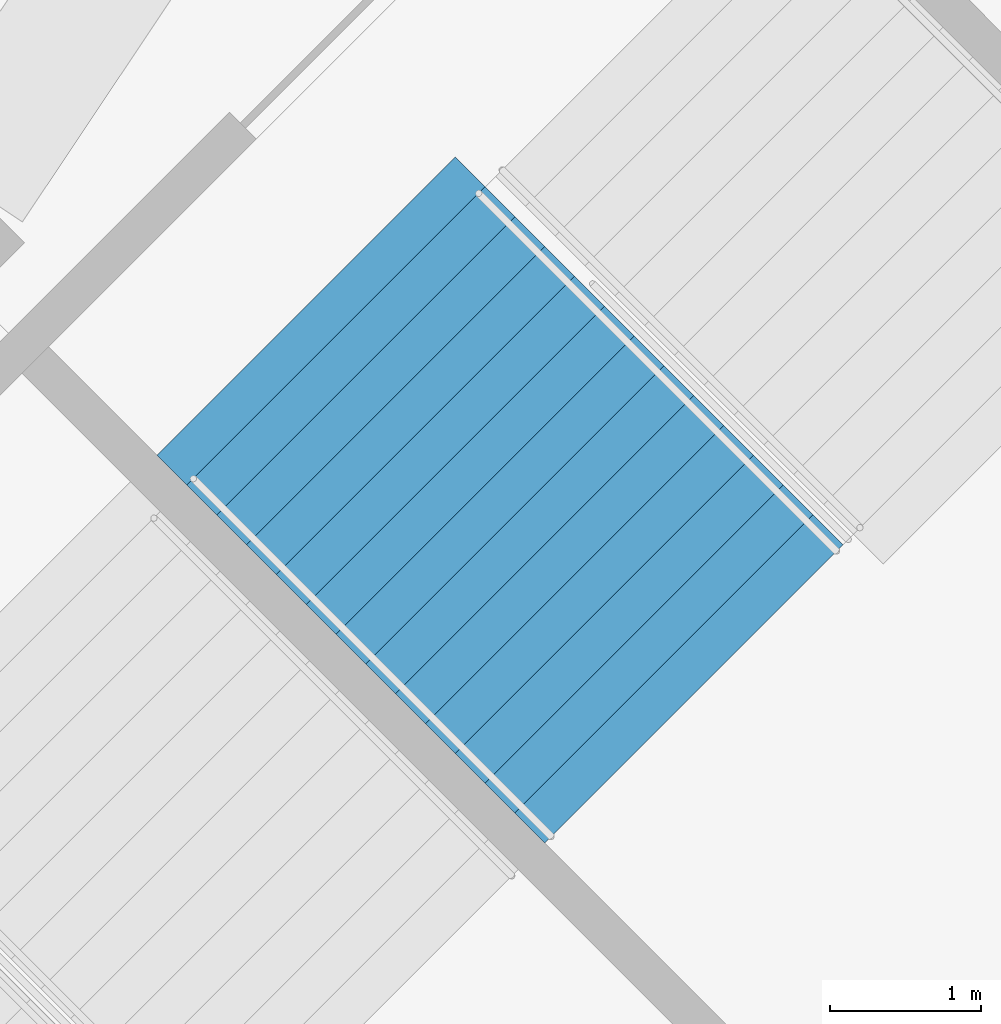
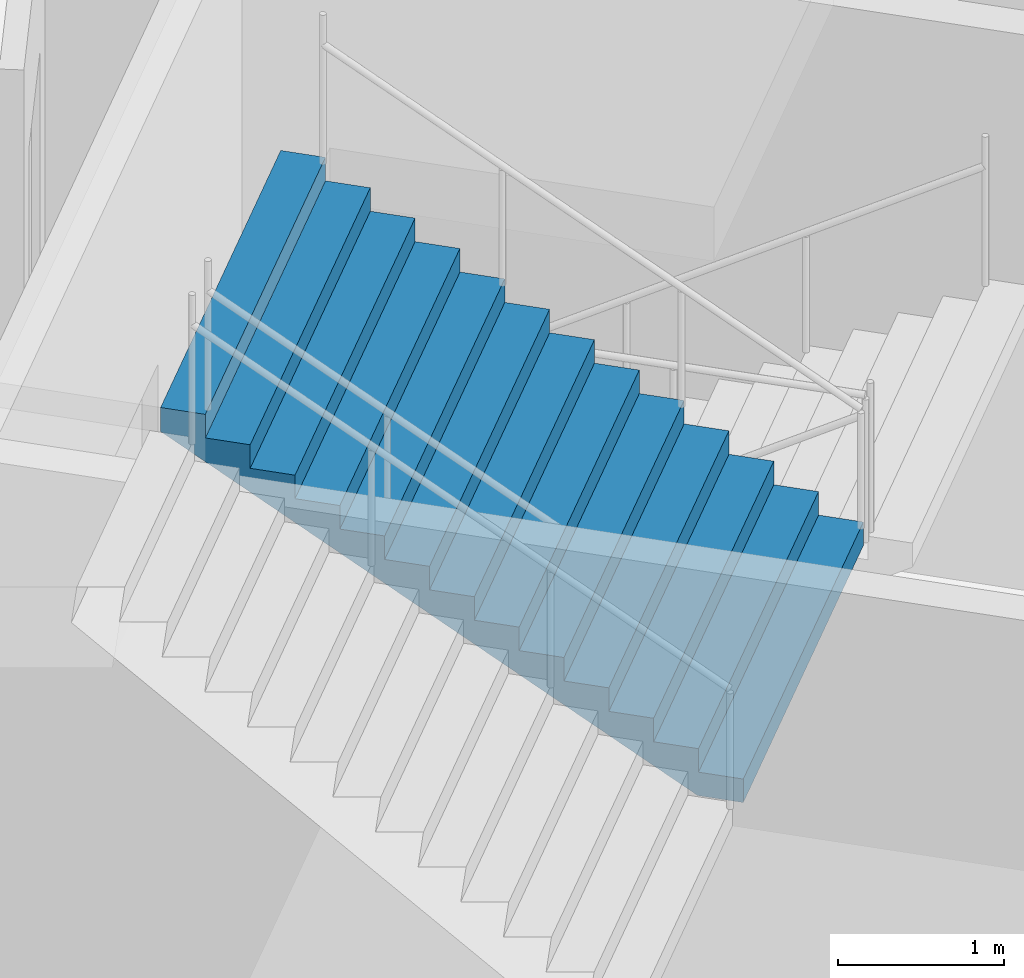
# One storey, part 89 of 175: 1 stair flight, 1 element without a shape of its own.
"""IFC4 building model written with IfcOpenShell, lengths in metres."""

from ifc_helpers import new_model, si_unit, direction, frame, origin, place, context, subcontext, project, spatial, faceted_brep, material, type_object, element, aggregate, save


model = new_model("IFC4")

# Units and contexts
model_context = context("Model", 3, precision=1e-05, world=origin(), true_north=direction((0.0, 1.0)))
body_context = subcontext(model_context, "Body", "Model", "MODEL_VIEW")
ifc_project = project(units=[si_unit("LENGTHUNIT", "METRE"), si_unit("AREAUNIT", "SQUARE_METRE"), si_unit("VOLUMEUNIT", "CUBIC_METRE"), si_unit("PLANEANGLEUNIT", "RADIAN"), si_unit("MASSUNIT", "GRAM", prefix="KILO")], contexts=[model_context])

# Site, building, storey
site_placement = place(None, origin())
site = spatial("IfcSite", under=ifc_project, at=site_placement, CompositionType="ELEMENT")
building_placement = place(site_placement, origin())
building = spatial("IfcBuilding", under=site, at=building_placement, Name="Ogive Plaza Stadium", CompositionType="ELEMENT")
storey_placement = place(building_placement, origin())
storey = spatial("IfcBuildingStorey", under=building, at=storey_placement, Name="L00", CompositionType="ELEMENT", Elevation=0.0)

# Stair, stair flight
ifc_material_1 = material(Name="Concrete C40/50", Category="concrete")
stair_type = type_object("IfcStairType", Name="Exit stair", PredefinedType="STRAIGHT_RUN_STAIR", material=ifc_material_1)
stair_placement = place(storey_placement, origin())
stair = element("IfcStair", 1, at=stair_placement, inside=storey, type_object=stair_type, Name="Exit stair ST10B L00 to L01", PredefinedType="STRAIGHT_RUN_STAIR")
ifc_material_2 = material(Name="Concrete C40/50", Category="concrete")
stair_flight_type = type_object("IfcStairFlightType", Name="Exit stair flight", PredefinedType="STRAIGHT", material=ifc_material_2)
stair_flight_placement = place(storey_placement, frame((67.400146484375, -83.743408203125, 2.25), z_axis=(0.0, 0.0, 1.0), x_axis=(-0.707106781187, 0.707106781187, 0.0)))
stair_flight = element("IfcStairFlight", 2, at=stair_flight_placement, type_object=stair_flight_type, Name="ST10B flight 2", NumberOfRisers=13, NumberOfTreads=12, PredefinedType="STRAIGHT", RiserHeight=0.173076923, TreadLength=0.28, context=body_context, shape_type="Brep", body=[
    faceted_brep([(0.28515625, -1.39990234375, 0.0), (3.639892578125, -1.39990234375, 2.07373046875), (3.639892578125, -1.39990234375, 2.25), (3.360107421875, -1.39990234375, 2.25), (3.360107421875, -1.39990234375, 2.076904296875), (3.080078125, -1.39990234375, 2.076904296875), (3.080078125, -1.39990234375, 1.90380859375), (2.800048828125, -1.39990234375, 1.90380859375), (2.800048828125, -1.39990234375, 1.730712890625), (2.52001953125, -1.39990234375, 1.730712890625), (2.52001953125, -1.39990234375, 1.5576171875), (2.239990234375, -1.39990234375, 1.5576171875), (2.239990234375, -1.39990234375, 1.384521484375), (1.9599609375, -1.39990234375, 1.384521484375), (1.9599609375, -1.39990234375, 1.21142578125), (1.679931640625, -1.39990234375, 1.21142578125), (1.679931640625, -1.39990234375, 1.03857421875), (1.39990234375, -1.39990234375, 1.03857421875), (1.39990234375, -1.39990234375, 0.865478515625), (1.1201171875, -1.39990234375, 0.865478515625), (1.1201171875, -1.39990234375, 0.6923828125), (0.840087890625, -1.39990234375, 0.6923828125), (0.840087890625, -1.39990234375, 0.519287109375), (0.56005859375, -1.39990234375, 0.519287109375), (0.56005859375, -1.39990234375, 0.34619140625), (0.280029296875, -1.39990234375, 0.34619140625), (0.280029296875, -1.39990234375, 0.173095703125), (0.0, -1.39990234375, 0.173095703125), (0.0, -1.39990234375, 0.0), (0.0, 1.39990234375, 0.0), (0.0, 1.39990234375, 0.173095703125), (0.280029296875, 1.39990234375, 0.173095703125), (0.280029296875, 1.39990234375, 0.34619140625), (0.56005859375, 1.39990234375, 0.34619140625), (0.56005859375, 1.39990234375, 0.519287109375), (0.840087890625, 1.39990234375, 0.519287109375), (0.840087890625, 1.39990234375, 0.6923828125), (1.1201171875, 1.39990234375, 0.6923828125), (1.1201171875, 1.39990234375, 0.865478515625), (1.39990234375, 1.39990234375, 0.865478515625), (1.39990234375, 1.39990234375, 1.03857421875), (1.679931640625, 1.39990234375, 1.03857421875), (1.679931640625, 1.39990234375, 1.21142578125), (1.9599609375, 1.39990234375, 1.21142578125), (1.9599609375, 1.39990234375, 1.384521484375), (2.239990234375, 1.39990234375, 1.384521484375), (2.239990234375, 1.39990234375, 1.5576171875), (2.52001953125, 1.39990234375, 1.5576171875), (2.52001953125, 1.39990234375, 1.730712890625), (2.800048828125, 1.39990234375, 1.730712890625), (2.800048828125, 1.39990234375, 1.90380859375), (3.080078125, 1.39990234375, 1.90380859375), (3.080078125, 1.39990234375, 2.076904296875), (3.360107421875, 1.39990234375, 2.076904296875), (3.360107421875, 1.39990234375, 2.25), (3.639892578125, 1.39990234375, 2.25), (3.639892578125, 1.39990234375, 2.07373046875), (0.28515625, 1.39990234375, 0.0), (0.28515625, -1.0888671875, 0.0), (3.639892578125, -1.0888671875, 2.07373046875), (0.28515625, -0.77783203125, 0.0), (3.639892578125, -0.77783203125, 2.07373046875), (0.28515625, -0.466796875, 0.0), (3.639892578125, -0.466796875, 2.07373046875), (0.28515625, -0.155517578125, 0.0), (3.639892578125, -0.155517578125, 2.07373046875), (0.28515625, 0.155517578125, 0.0), (3.639892578125, 0.155517578125, 2.07373046875), (0.28515625, 0.466796875, 0.0), (3.639892578125, 0.466796875, 2.07373046875), (0.28515625, 0.77783203125, 0.0), (3.639892578125, 0.77783203125, 2.07373046875), (0.28515625, 1.0888671875, 0.0), (3.639892578125, 1.0888671875, 2.07373046875), (3.639892578125, -1.0888671875, 2.25), (3.639892578125, -0.77783203125, 2.25), (3.639892578125, -0.466796875, 2.25), (3.639892578125, -0.155517578125, 2.25), (3.639892578125, 0.155517578125, 2.25), (3.639892578125, 0.466796875, 2.25), (3.639892578125, 0.77783203125, 2.25), (3.639892578125, 1.0888671875, 2.25), (3.360107421875, -1.0888671875, 2.25), (3.360107421875, -0.77783203125, 2.25), (3.360107421875, -0.466796875, 2.25), (3.360107421875, -0.155517578125, 2.25), (3.360107421875, 0.155517578125, 2.25), (3.360107421875, 0.466796875, 2.25), (3.360107421875, 0.77783203125, 2.25), (3.360107421875, 1.0888671875, 2.25), (3.360107421875, -1.0888671875, 2.076904296875), (3.360107421875, -0.77783203125, 2.076904296875), (3.360107421875, -0.466796875, 2.076904296875), (3.360107421875, -0.155517578125, 2.076904296875), (3.360107421875, 0.155517578125, 2.076904296875), (3.360107421875, 0.466796875, 2.076904296875), (3.360107421875, 0.77783203125, 2.076904296875), (3.360107421875, 1.0888671875, 2.076904296875), (3.080078125, -1.0888671875, 2.076904296875), (3.080078125, -0.77783203125, 2.076904296875), (3.080078125, -0.466796875, 2.076904296875), (3.080078125, -0.155517578125, 2.076904296875), (3.080078125, 0.155517578125, 2.076904296875), (3.080078125, 0.466796875, 2.076904296875), (3.080078125, 0.77783203125, 2.076904296875), (3.080078125, 1.0888671875, 2.076904296875), (3.080078125, -1.0888671875, 1.90380859375), (3.080078125, -0.77783203125, 1.90380859375), (3.080078125, -0.466796875, 1.90380859375), (3.080078125, -0.155517578125, 1.90380859375), (3.080078125, 0.155517578125, 1.90380859375), (3.080078125, 0.466796875, 1.90380859375), (3.080078125, 0.77783203125, 1.90380859375), (3.080078125, 1.0888671875, 1.90380859375), (2.800048828125, -1.0888671875, 1.90380859375), (2.800048828125, -0.77783203125, 1.90380859375), (2.800048828125, -0.466796875, 1.90380859375), (2.800048828125, -0.155517578125, 1.90380859375), (2.800048828125, 0.155517578125, 1.90380859375), (2.800048828125, 0.466796875, 1.90380859375), (2.800048828125, 0.77783203125, 1.90380859375), (2.800048828125, 1.0888671875, 1.90380859375), (2.800048828125, -1.0888671875, 1.730712890625), (2.800048828125, -0.77783203125, 1.730712890625), (2.800048828125, -0.466796875, 1.730712890625), (2.800048828125, -0.155517578125, 1.730712890625), (2.800048828125, 0.155517578125, 1.730712890625), (2.800048828125, 0.466796875, 1.730712890625), (2.800048828125, 0.77783203125, 1.730712890625), (2.800048828125, 1.0888671875, 1.730712890625), (2.52001953125, -1.0888671875, 1.730712890625), (2.52001953125, -0.77783203125, 1.730712890625), (2.52001953125, -0.466796875, 1.730712890625), (2.52001953125, -0.155517578125, 1.730712890625), (2.52001953125, 0.155517578125, 1.730712890625), (2.52001953125, 0.466796875, 1.730712890625), (2.52001953125, 0.77783203125, 1.730712890625), (2.52001953125, 1.0888671875, 1.730712890625), (2.52001953125, -1.0888671875, 1.5576171875), (2.52001953125, -0.77783203125, 1.5576171875), (2.52001953125, -0.466796875, 1.5576171875), (2.52001953125, -0.155517578125, 1.5576171875), (2.52001953125, 0.155517578125, 1.5576171875), (2.52001953125, 0.466796875, 1.5576171875), (2.52001953125, 0.77783203125, 1.5576171875), (2.52001953125, 1.0888671875, 1.5576171875), (2.239990234375, -1.0888671875, 1.5576171875), (2.239990234375, -0.77783203125, 1.5576171875), (2.239990234375, -0.466796875, 1.5576171875), (2.239990234375, -0.155517578125, 1.5576171875), (2.239990234375, 0.155517578125, 1.5576171875), (2.239990234375, 0.466796875, 1.5576171875), (2.239990234375, 0.77783203125, 1.5576171875), (2.239990234375, 1.0888671875, 1.5576171875), (2.239990234375, -1.0888671875, 1.384521484375), (2.239990234375, -0.77783203125, 1.384521484375), (2.239990234375, -0.466796875, 1.384521484375), (2.239990234375, -0.155517578125, 1.384521484375), (2.239990234375, 0.155517578125, 1.384521484375), (2.239990234375, 0.466796875, 1.384521484375), (2.239990234375, 0.77783203125, 1.384521484375), (2.239990234375, 1.0888671875, 1.384521484375), (1.9599609375, -1.0888671875, 1.384521484375), (1.9599609375, -0.77783203125, 1.384521484375), (1.9599609375, -0.466796875, 1.384521484375), (1.9599609375, -0.155517578125, 1.384521484375), (1.9599609375, 0.155517578125, 1.384521484375), (1.9599609375, 0.466796875, 1.384521484375), (1.9599609375, 0.77783203125, 1.384521484375), (1.9599609375, 1.0888671875, 1.384521484375), (1.9599609375, -1.0888671875, 1.21142578125), (1.9599609375, -0.77783203125, 1.21142578125), (1.9599609375, -0.466796875, 1.21142578125), (1.9599609375, -0.155517578125, 1.21142578125), (1.9599609375, 0.155517578125, 1.21142578125), (1.9599609375, 0.466796875, 1.21142578125), (1.9599609375, 0.77783203125, 1.21142578125), (1.9599609375, 1.0888671875, 1.21142578125), (1.679931640625, -1.0888671875, 1.21142578125), (1.679931640625, -0.77783203125, 1.21142578125), (1.679931640625, -0.466796875, 1.21142578125), (1.679931640625, -0.155517578125, 1.21142578125), (1.679931640625, 0.155517578125, 1.21142578125), (1.679931640625, 0.466796875, 1.21142578125), (1.679931640625, 0.77783203125, 1.21142578125), (1.679931640625, 1.0888671875, 1.21142578125), (1.679931640625, -1.0888671875, 1.03857421875), (1.679931640625, -0.77783203125, 1.03857421875), (1.679931640625, -0.466796875, 1.03857421875), (1.679931640625, -0.155517578125, 1.03857421875), (1.679931640625, 0.155517578125, 1.03857421875), (1.679931640625, 0.466796875, 1.03857421875), (1.679931640625, 0.77783203125, 1.03857421875), (1.679931640625, 1.0888671875, 1.03857421875), (1.39990234375, -1.0888671875, 1.03857421875), (1.39990234375, -0.77783203125, 1.03857421875), (1.39990234375, -0.466796875, 1.03857421875), (1.39990234375, -0.155517578125, 1.03857421875), (1.39990234375, 0.155517578125, 1.03857421875), (1.39990234375, 0.466796875, 1.03857421875), (1.39990234375, 0.77783203125, 1.03857421875), (1.39990234375, 1.0888671875, 1.03857421875), (1.39990234375, -1.0888671875, 0.865478515625), (1.39990234375, -0.77783203125, 0.865478515625), (1.39990234375, -0.466796875, 0.865478515625), (1.39990234375, -0.155517578125, 0.865478515625), (1.39990234375, 0.155517578125, 0.865478515625), (1.39990234375, 0.466796875, 0.865478515625), (1.39990234375, 0.77783203125, 0.865478515625), (1.39990234375, 1.0888671875, 0.865478515625), (1.1201171875, -1.0888671875, 0.865478515625), (1.1201171875, -0.77783203125, 0.865478515625), (1.1201171875, -0.466796875, 0.865478515625), (1.1201171875, -0.155517578125, 0.865478515625), (1.1201171875, 0.155517578125, 0.865478515625), (1.1201171875, 0.466796875, 0.865478515625), (1.1201171875, 0.77783203125, 0.865478515625), (1.1201171875, 1.0888671875, 0.865478515625), (1.1201171875, -1.0888671875, 0.6923828125), (1.1201171875, -0.77783203125, 0.6923828125), (1.1201171875, -0.466796875, 0.6923828125), (1.1201171875, -0.155517578125, 0.6923828125), (1.1201171875, 0.155517578125, 0.6923828125), (1.1201171875, 0.466796875, 0.6923828125), (1.1201171875, 0.77783203125, 0.6923828125), (1.1201171875, 1.0888671875, 0.6923828125), (0.840087890625, -1.0888671875, 0.6923828125), (0.840087890625, -0.77783203125, 0.6923828125), (0.840087890625, -0.466796875, 0.6923828125), (0.840087890625, -0.155517578125, 0.6923828125), (0.840087890625, 0.155517578125, 0.6923828125), (0.840087890625, 0.466796875, 0.6923828125), (0.840087890625, 0.77783203125, 0.6923828125), (0.840087890625, 1.0888671875, 0.6923828125), (0.840087890625, -1.0888671875, 0.519287109375), (0.840087890625, -0.77783203125, 0.519287109375), (0.840087890625, -0.466796875, 0.519287109375), (0.840087890625, -0.155517578125, 0.519287109375), (0.840087890625, 0.155517578125, 0.519287109375), (0.840087890625, 0.466796875, 0.519287109375), (0.840087890625, 0.77783203125, 0.519287109375), (0.840087890625, 1.0888671875, 0.519287109375), (0.56005859375, -1.0888671875, 0.519287109375), (0.56005859375, -0.77783203125, 0.519287109375), (0.56005859375, -0.466796875, 0.519287109375), (0.56005859375, -0.155517578125, 0.519287109375), (0.56005859375, 0.155517578125, 0.519287109375), (0.56005859375, 0.466796875, 0.519287109375), (0.56005859375, 0.77783203125, 0.519287109375), (0.56005859375, 1.0888671875, 0.519287109375), (0.56005859375, -1.0888671875, 0.34619140625), (0.56005859375, -0.77783203125, 0.34619140625), (0.56005859375, -0.466796875, 0.34619140625), (0.56005859375, -0.155517578125, 0.34619140625), (0.56005859375, 0.155517578125, 0.34619140625), (0.56005859375, 0.466796875, 0.34619140625), (0.56005859375, 0.77783203125, 0.34619140625), (0.56005859375, 1.0888671875, 0.34619140625), (0.280029296875, -1.0888671875, 0.34619140625), (0.280029296875, -0.77783203125, 0.34619140625), (0.280029296875, -0.466796875, 0.34619140625), (0.280029296875, -0.155517578125, 0.34619140625), (0.280029296875, 0.155517578125, 0.34619140625), (0.280029296875, 0.466796875, 0.34619140625), (0.280029296875, 0.77783203125, 0.34619140625), (0.280029296875, 1.0888671875, 0.34619140625), (0.280029296875, -1.0888671875, 0.173095703125), (0.280029296875, -0.77783203125, 0.173095703125), (0.280029296875, -0.466796875, 0.173095703125), (0.280029296875, -0.155517578125, 0.173095703125), (0.280029296875, 0.155517578125, 0.173095703125), (0.280029296875, 0.466796875, 0.173095703125), (0.280029296875, 0.77783203125, 0.173095703125), (0.280029296875, 1.0888671875, 0.173095703125), (0.0, -1.0888671875, 0.173095703125), (0.0, -0.77783203125, 0.173095703125), (0.0, -0.466796875, 0.173095703125), (0.0, -0.155517578125, 0.173095703125), (0.0, 0.155517578125, 0.173095703125), (0.0, 0.466796875, 0.173095703125), (0.0, 0.77783203125, 0.173095703125), (0.0, 1.0888671875, 0.173095703125), (0.0, -1.0888671875, 0.0), (0.0, -0.77783203125, 0.0), (0.0, -0.466796875, 0.0), (0.0, -0.155517578125, 0.0), (0.0, 0.155517578125, 0.0), (0.0, 0.466796875, 0.0), (0.0, 0.77783203125, 0.0), (0.0, 1.0888671875, 0.0)], [[[0, 1, 2, 3, 4, 5, 6, 7, 8, 9, 10, 11, 12, 13, 14, 15, 16, 17, 18, 19, 20, 21, 22, 23, 24, 25, 26, 27, 28]], [[29, 30, 31, 32, 33, 34, 35, 36, 37, 38, 39, 40, 41, 42, 43, 44, 45, 46, 47, 48, 49, 50, 51, 52, 53, 54, 55, 56, 57]], [[0, 58, 59, 1]], [[58, 60, 61, 59]], [[60, 62, 63, 61]], [[62, 64, 65, 63]], [[64, 66, 67, 65]], [[66, 68, 69, 67]], [[68, 70, 71, 69]], [[70, 72, 73, 71]], [[72, 57, 56, 73]], [[1, 59, 74, 2]], [[59, 61, 75, 74]], [[61, 63, 76, 75]], [[63, 65, 77, 76]], [[65, 67, 78, 77]], [[67, 69, 79, 78]], [[69, 71, 80, 79]], [[71, 73, 81, 80]], [[73, 56, 55, 81]], [[2, 74, 82, 3]], [[74, 75, 83, 82]], [[75, 76, 84, 83]], [[76, 77, 85, 84]], [[77, 78, 86, 85]], [[78, 79, 87, 86]], [[79, 80, 88, 87]], [[80, 81, 89, 88]], [[81, 55, 54, 89]], [[3, 82, 90, 4]], [[82, 83, 91, 90]], [[83, 84, 92, 91]], [[84, 85, 93, 92]], [[85, 86, 94, 93]], [[86, 87, 95, 94]], [[87, 88, 96, 95]], [[88, 89, 97, 96]], [[89, 54, 53, 97]], [[4, 90, 98, 5]], [[90, 91, 99, 98]], [[91, 92, 100, 99]], [[92, 93, 101, 100]], [[93, 94, 102, 101]], [[94, 95, 103, 102]], [[95, 96, 104, 103]], [[96, 97, 105, 104]], [[97, 53, 52, 105]], [[5, 98, 106, 6]], [[98, 99, 107, 106]], [[99, 100, 108, 107]], [[100, 101, 109, 108]], [[101, 102, 110, 109]], [[102, 103, 111, 110]], [[103, 104, 112, 111]], [[104, 105, 113, 112]], [[105, 52, 51, 113]], [[6, 106, 114, 7]], [[106, 107, 115, 114]], [[107, 108, 116, 115]], [[108, 109, 117, 116]], [[109, 110, 118, 117]], [[110, 111, 119, 118]], [[111, 112, 120, 119]], [[112, 113, 121, 120]], [[113, 51, 50, 121]], [[7, 114, 122, 8]], [[114, 115, 123, 122]], [[115, 116, 124, 123]], [[116, 117, 125, 124]], [[117, 118, 126, 125]], [[118, 119, 127, 126]], [[119, 120, 128, 127]], [[120, 121, 129, 128]], [[121, 50, 49, 129]], [[8, 122, 130, 9]], [[122, 123, 131, 130]], [[123, 124, 132, 131]], [[124, 125, 133, 132]], [[125, 126, 134, 133]], [[126, 127, 135, 134]], [[127, 128, 136, 135]], [[128, 129, 137, 136]], [[129, 49, 48, 137]], [[9, 130, 138, 10]], [[130, 131, 139, 138]], [[131, 132, 140, 139]], [[132, 133, 141, 140]], [[133, 134, 142, 141]], [[134, 135, 143, 142]], [[135, 136, 144, 143]], [[136, 137, 145, 144]], [[137, 48, 47, 145]], [[10, 138, 146, 11]], [[138, 139, 147, 146]], [[139, 140, 148, 147]], [[140, 141, 149, 148]], [[141, 142, 150, 149]], [[142, 143, 151, 150]], [[143, 144, 152, 151]], [[144, 145, 153, 152]], [[145, 47, 46, 153]], [[11, 146, 154, 12]], [[146, 147, 155, 154]], [[147, 148, 156, 155]], [[148, 149, 157, 156]], [[149, 150, 158, 157]], [[150, 151, 159, 158]], [[151, 152, 160, 159]], [[152, 153, 161, 160]], [[153, 46, 45, 161]], [[12, 154, 162, 13]], [[154, 155, 163, 162]], [[155, 156, 164, 163]], [[156, 157, 165, 164]], [[157, 158, 166, 165]], [[158, 159, 167, 166]], [[159, 160, 168, 167]], [[160, 161, 169, 168]], [[161, 45, 44, 169]], [[13, 162, 170, 14]], [[162, 163, 171, 170]], [[163, 164, 172, 171]], [[164, 165, 173, 172]], [[165, 166, 174, 173]], [[166, 167, 175, 174]], [[167, 168, 176, 175]], [[168, 169, 177, 176]], [[169, 44, 43, 177]], [[14, 170, 178, 15]], [[170, 171, 179, 178]], [[171, 172, 180, 179]], [[172, 173, 181, 180]], [[173, 174, 182, 181]], [[174, 175, 183, 182]], [[175, 176, 184, 183]], [[176, 177, 185, 184]], [[177, 43, 42, 185]], [[15, 178, 186, 16]], [[178, 179, 187, 186]], [[179, 180, 188, 187]], [[180, 181, 189, 188]], [[181, 182, 190, 189]], [[182, 183, 191, 190]], [[183, 184, 192, 191]], [[184, 185, 193, 192]], [[185, 42, 41, 193]], [[16, 186, 194, 17]], [[186, 187, 195, 194]], [[187, 188, 196, 195]], [[188, 189, 197, 196]], [[189, 190, 198, 197]], [[190, 191, 199, 198]], [[191, 192, 200, 199]], [[192, 193, 201, 200]], [[193, 41, 40, 201]], [[17, 194, 202, 18]], [[194, 195, 203, 202]], [[195, 196, 204, 203]], [[196, 197, 205, 204]], [[197, 198, 206, 205]], [[198, 199, 207, 206]], [[199, 200, 208, 207]], [[200, 201, 209, 208]], [[201, 40, 39, 209]], [[18, 202, 210, 19]], [[202, 203, 211, 210]], [[203, 204, 212, 211]], [[204, 205, 213, 212]], [[205, 206, 214, 213]], [[206, 207, 215, 214]], [[207, 208, 216, 215]], [[208, 209, 217, 216]], [[209, 39, 38, 217]], [[19, 210, 218, 20]], [[210, 211, 219, 218]], [[211, 212, 220, 219]], [[212, 213, 221, 220]], [[213, 214, 222, 221]], [[214, 215, 223, 222]], [[215, 216, 224, 223]], [[216, 217, 225, 224]], [[217, 38, 37, 225]], [[20, 218, 226, 21]], [[218, 219, 227, 226]], [[219, 220, 228, 227]], [[220, 221, 229, 228]], [[221, 222, 230, 229]], [[222, 223, 231, 230]], [[223, 224, 232, 231]], [[224, 225, 233, 232]], [[225, 37, 36, 233]], [[21, 226, 234, 22]], [[226, 227, 235, 234]], [[227, 228, 236, 235]], [[228, 229, 237, 236]], [[229, 230, 238, 237]], [[230, 231, 239, 238]], [[231, 232, 240, 239]], [[232, 233, 241, 240]], [[233, 36, 35, 241]], [[22, 234, 242, 23]], [[234, 235, 243, 242]], [[235, 236, 244, 243]], [[236, 237, 245, 244]], [[237, 238, 246, 245]], [[238, 239, 247, 246]], [[239, 240, 248, 247]], [[240, 241, 249, 248]], [[241, 35, 34, 249]], [[23, 242, 250, 24]], [[242, 243, 251, 250]], [[243, 244, 252, 251]], [[244, 245, 253, 252]], [[245, 246, 254, 253]], [[246, 247, 255, 254]], [[247, 248, 256, 255]], [[248, 249, 257, 256]], [[249, 34, 33, 257]], [[24, 250, 258, 25]], [[250, 251, 259, 258]], [[251, 252, 260, 259]], [[252, 253, 261, 260]], [[253, 254, 262, 261]], [[254, 255, 263, 262]], [[255, 256, 264, 263]], [[256, 257, 265, 264]], [[257, 33, 32, 265]], [[25, 258, 266, 26]], [[258, 259, 267, 266]], [[259, 260, 268, 267]], [[260, 261, 269, 268]], [[261, 262, 270, 269]], [[262, 263, 271, 270]], [[263, 264, 272, 271]], [[264, 265, 273, 272]], [[265, 32, 31, 273]], [[26, 266, 274, 27]], [[266, 267, 275, 274]], [[267, 268, 276, 275]], [[268, 269, 277, 276]], [[269, 270, 278, 277]], [[270, 271, 279, 278]], [[271, 272, 280, 279]], [[272, 273, 281, 280]], [[273, 31, 30, 281]], [[27, 274, 282, 28]], [[274, 275, 283, 282]], [[275, 276, 284, 283]], [[276, 277, 285, 284]], [[277, 278, 286, 285]], [[278, 279, 287, 286]], [[279, 280, 288, 287]], [[280, 281, 289, 288]], [[281, 30, 29, 289]], [[28, 282, 58, 0]], [[282, 283, 60, 58]], [[283, 284, 62, 60]], [[284, 285, 64, 62]], [[285, 286, 66, 64]], [[286, 287, 68, 66]], [[287, 288, 70, 68]], [[288, 289, 72, 70]], [[289, 29, 57, 72]]]),
])
aggregate(stair, [stair_flight])

save(model, "model.ifc")
